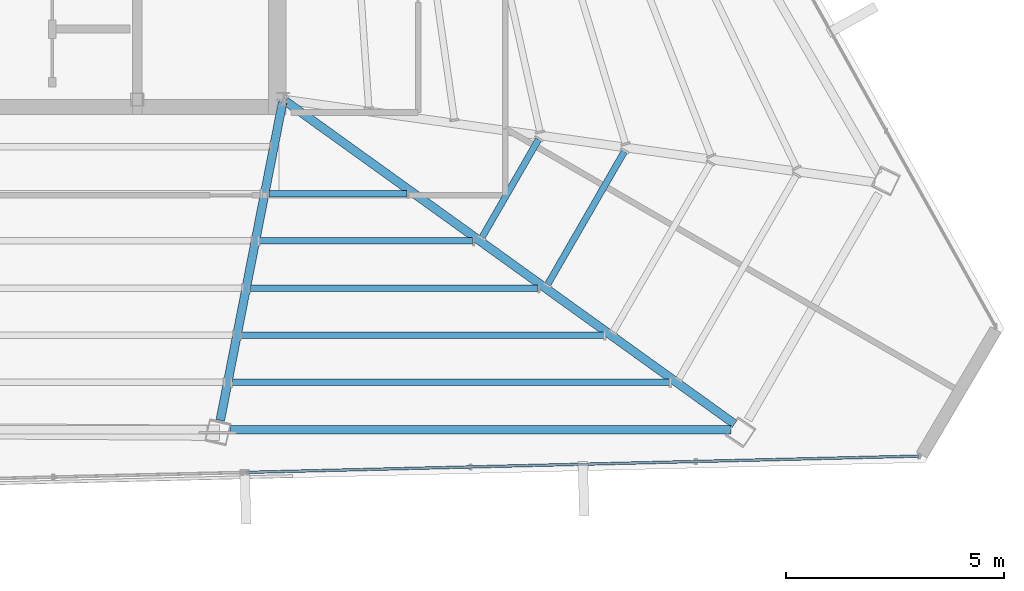
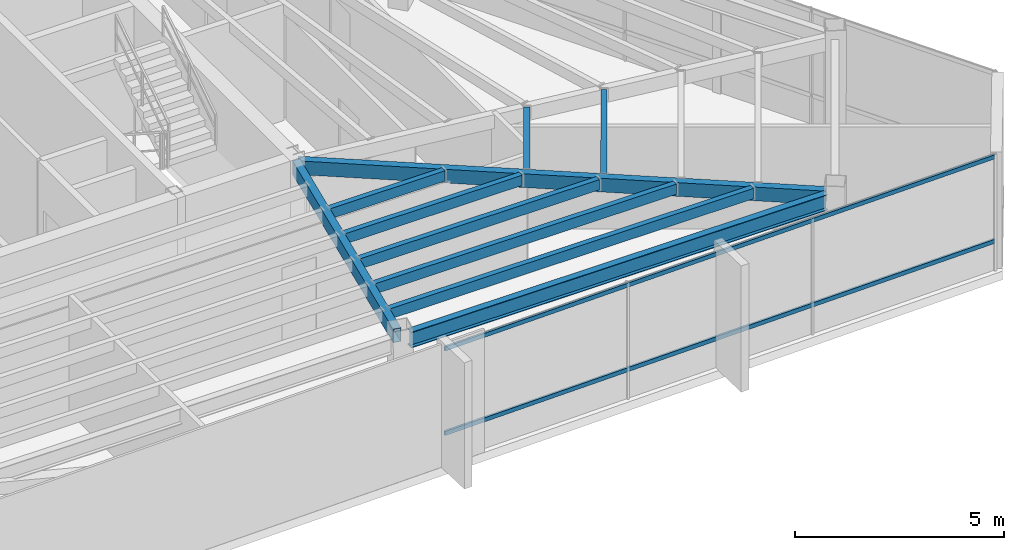
# One storey, part 22 of 48: 10 beams, 2 members, 1 element without a shape of its own.
"""IFC4 building model written with IfcOpenShell, lengths in metres."""

from ifc_helpers import new_model, si_unit, direction, frame, origin, origin_2d, place, context, subcontext, project, spatial, hollow_rectangle, i_section, extrude, source, transform, mapped, material, material_profile, profile_set, type_object, type_shapes, element, aggregate, save


model = new_model("IFC4")

# Units and contexts
model_context = context("Model", 3, precision=1e-05, world=origin(), true_north=direction((0.0, 1.0)))
body_context = subcontext(model_context, "Body", "Model", "MODEL_VIEW")
ifc_project = project(units=[si_unit("LENGTHUNIT", "METRE"), si_unit("AREAUNIT", "SQUARE_METRE"), si_unit("VOLUMEUNIT", "CUBIC_METRE"), si_unit("PLANEANGLEUNIT", "RADIAN"), si_unit("MASSUNIT", "GRAM", prefix="KILO")], contexts=[model_context])

# Site, building, storey
site_placement = place(None, origin())
site = spatial("IfcSite", under=ifc_project, at=site_placement, CompositionType="ELEMENT")
building_placement = place(site_placement, origin())
building = spatial("IfcBuilding", under=site, at=building_placement, Name="Caelisora Broadcast Tower", CompositionType="ELEMENT")
storey_placement = place(building_placement, frame((0.0, 0.0, 277.300048828125)))
storey = spatial("IfcBuildingStorey", under=building, at=storey_placement, Name="L73", CompositionType="ELEMENT", Elevation=277.300048828125)

# Beams
ifc_material_1 = material(Name="Steel Grade 350 (AS/NZS 3679.1)", Category="steel")
ifc_material_profile_1 = material_profile(ifc_material_1, i_section(OverallWidth=0.19091796875, OverallDepth=0.46044921875, WebThickness=0.010009765625, FlangeThickness=0.01611328125, at=origin_2d()), Name="Steel Grade 350 (AS/NZS 3679.1)")
ifc_profile_set_1 = profile_set([ifc_material_profile_1], Name="Steel Grade 350 (AS/NZS 3679.1)")
beam_type_1 = type_object("IfcBeamType", Name="PG06", PredefinedType="BEAM", material=ifc_profile_set_1)
shared_shape_1 = source(origin(), body_context, "Body", "SweptSolid", [
    extrude(i_section(OverallWidth=0.19091796875, OverallDepth=0.46044921875, WebThickness=0.010009765625, FlangeThickness=0.01611328125, at=origin_2d()), origin(), (0.0, 0.0, 1.0), 11.509521484375),
])
type_shapes(beam_type_1, [shared_shape_1])
beam_1_placement = place(storey_placement, frame((44.27490234375, 9.818115234375, 3.169677734375), z_axis=(1.0, 0.0, 0.0), x_axis=(0.0, 1.0, 0.0)))
element("IfcBeam", 1, at=beam_1_placement, inside=storey, type_object=beam_type_1, Name="L73 beam PG06", PredefinedType="BEAM", context=body_context, shape_type="MappedRepresentation", body=[
    mapped(shared_shape_1, transform((0.0, 0.0, 0.0), scale=1.0)),
])
ifc_material_2 = material(Name="Steel Grade 350 (AS/NZS 1163 C350L0)", Category="steel")
ifc_material_profile_2 = material_profile(ifc_material_2, hollow_rectangle(XDim=0.199951171875, YDim=0.39990234375, WallThickness=0.012451171875, at=origin_2d()), Name="Steel Grade 350 (AS/NZS 1163 C350L0)")
ifc_profile_set_2 = profile_set([ifc_material_profile_2], Name="Steel Grade 350 (AS/NZS 1163 C350L0)")
beam_type_2 = type_object("IfcBeamType", Name="PG07", PredefinedType="BEAM", material=ifc_profile_set_2)
shared_shape_2 = source(origin(), body_context, "Body", "SweptSolid", [
    extrude(hollow_rectangle(XDim=0.199951171875, YDim=0.39990234375, WallThickness=0.012451171875, at=origin_2d()), origin(), (0.0, 0.0, 1.0), 12.70751953125),
])
beam_2_placement = place(storey_placement, frame((45.548583984375, 17.364990234375, 3.199951171875), z_axis=(0.811909511256, -0.583783303574, 0.0), x_axis=(0.583783303574, 0.811909511256, 0.0)))
element("IfcBeam", 2, at=beam_2_placement, inside=storey, type_object=beam_type_2, Name="L73 beam PG07", PredefinedType="BEAM", context=body_context, shape_type="MappedRepresentation", body=[
    mapped(shared_shape_2, transform((0.0, 0.0, 0.0), scale=1.0)),
])
shared_shape_3 = source(origin(), body_context, "Body", "SweptSolid", [
    extrude(hollow_rectangle(XDim=0.199951171875, YDim=0.39990234375, WallThickness=0.012451171875, at=origin_2d()), origin(), (0.0, 0.0, 1.0), 7.44580078125),
])
type_shapes(beam_type_2, [shared_shape_2, shared_shape_3])
beam_3_placement = place(storey_placement, frame((45.488525390625, 17.341064453125, 3.199951171875), z_axis=(-0.192242961025, -0.981347361507, 0.0), x_axis=(0.981347361507, -0.192242961025, 0.0)))
element("IfcBeam", 3, at=beam_3_placement, inside=storey, type_object=beam_type_2, Name="L73 beam PG07", PredefinedType="BEAM", context=body_context, shape_type="MappedRepresentation", body=[
    mapped(shared_shape_3, transform((0.0, 0.0, 0.0), scale=1.0)),
])
ifc_material_profile_3 = material_profile(ifc_material_2, hollow_rectangle(XDim=0.14990234375, YDim=0.300048828125, WallThickness=0.010009765625, at=origin_2d()), Name="Steel Grade 350 (AS/NZS 1163 C350L0)")
ifc_profile_set_3 = profile_set([ifc_material_profile_3], Name="Steel Grade 350 (AS/NZS 1163 C350L0)")
beam_type_3 = type_object("IfcBeamType", Name="SB05", PredefinedType="JOIST", material=ifc_profile_set_3)
shared_shape_4 = source(origin(), body_context, "Body", "SweptSolid", [
    extrude(hollow_rectangle(XDim=0.14990234375, YDim=0.300048828125, WallThickness=0.010009765625, at=origin_2d()), origin(), (0.0, 0.0, 1.0), 2.591552734375),
])
beam_4_placement = place(storey_placement, frame((50.06787109375, 14.235107421875, 3.25), z_axis=(0.499958946799, 0.866049104564, 0.0), x_axis=(-0.866049104564, 0.499958946799, 0.0)))
element("IfcBeam", 4, at=beam_4_placement, inside=storey, type_object=beam_type_3, Name="L73 beam SB05", PredefinedType="JOIST", context=body_context, shape_type="MappedRepresentation", body=[
    mapped(shared_shape_4, transform((0.0, 0.0, 0.0), scale=1.0)),
])
shared_shape_5 = source(origin(), body_context, "Body", "SweptSolid", [
    extrude(hollow_rectangle(XDim=0.14990234375, YDim=0.300048828125, WallThickness=0.010009765625, at=origin_2d()), origin(), (0.0, 0.0, 1.0), 3.522705078125),
])
beam_5_placement = place(storey_placement, frame((51.57421875, 13.152099609375, 3.25), z_axis=(0.500022403966, 0.866012468462, 0.0), x_axis=(-0.866012468462, 0.500022403966, 0.0)))
element("IfcBeam", 5, at=beam_5_placement, inside=storey, type_object=beam_type_3, Name="L73 beam SB05", PredefinedType="JOIST", context=body_context, shape_type="MappedRepresentation", body=[
    mapped(shared_shape_5, transform((0.0, 0.0, 0.0), scale=1.0)),
])
shared_shape_6 = source(origin(), body_context, "Body", "SweptSolid", [
    extrude(hollow_rectangle(XDim=0.14990234375, YDim=0.300048828125, WallThickness=0.010009765625, at=origin_2d()), origin(), (0.0, 0.0, 1.0), 3.169921875),
])
beam_6_placement = place(storey_placement, frame((45.174560546875, 15.23388671875, 3.25), z_axis=(1.0, 0.0, 0.0), x_axis=(0.0, 1.0, 0.0)))
element("IfcBeam", 6, at=beam_6_placement, inside=storey, type_object=beam_type_3, Name="L73 beam SB05", PredefinedType="JOIST", context=body_context, shape_type="MappedRepresentation", body=[
    mapped(shared_shape_6, transform((0.0, 0.0, 0.0), scale=1.0)),
])
shared_shape_7 = source(origin(), body_context, "Body", "SweptSolid", [
    extrude(hollow_rectangle(XDim=0.14990234375, YDim=0.300048828125, WallThickness=0.010009765625, at=origin_2d()), origin(), (0.0, 0.0, 1.0), 4.888427734375),
])
beam_7_placement = place(storey_placement, frame((44.96240234375, 14.150634765625, 3.25), z_axis=(1.0, 0.0, 0.0), x_axis=(0.0, 1.0, 0.0)))
element("IfcBeam", 7, at=beam_7_placement, inside=storey, type_object=beam_type_3, Name="L73 beam SB05", PredefinedType="JOIST", context=body_context, shape_type="MappedRepresentation", body=[
    mapped(shared_shape_7, transform((0.0, 0.0, 0.0), scale=1.0)),
])
shared_shape_8 = source(origin(), body_context, "Body", "SweptSolid", [
    extrude(hollow_rectangle(XDim=0.14990234375, YDim=0.300048828125, WallThickness=0.010009765625, at=origin_2d()), origin(), (0.0, 0.0, 1.0), 6.60693359375),
])
beam_8_placement = place(storey_placement, frame((44.750244140625, 13.0673828125, 3.25), z_axis=(1.0, 0.0, 0.0), x_axis=(0.0, 1.0, 0.0)))
element("IfcBeam", 8, at=beam_8_placement, inside=storey, type_object=beam_type_3, Name="L73 beam SB05", PredefinedType="JOIST", context=body_context, shape_type="MappedRepresentation", body=[
    mapped(shared_shape_8, transform((0.0, 0.0, 0.0), scale=1.0)),
])
shared_shape_9 = source(origin(), body_context, "Body", "SweptSolid", [
    extrude(hollow_rectangle(XDim=0.14990234375, YDim=0.300048828125, WallThickness=0.010009765625, at=origin_2d()), origin(), (0.0, 0.0, 1.0), 8.325439453125),
])
beam_9_placement = place(storey_placement, frame((44.5380859375, 11.984375, 3.25), z_axis=(1.0, 0.0, 0.0), x_axis=(0.0, 1.0, 0.0)))
element("IfcBeam", 9, at=beam_9_placement, inside=storey, type_object=beam_type_3, Name="L73 beam SB05", PredefinedType="JOIST", context=body_context, shape_type="MappedRepresentation", body=[
    mapped(shared_shape_9, transform((0.0, 0.0, 0.0), scale=1.0)),
])
shared_shape_10 = source(origin(), body_context, "Body", "SweptSolid", [
    extrude(hollow_rectangle(XDim=0.14990234375, YDim=0.300048828125, WallThickness=0.010009765625, at=origin_2d()), origin(), (0.0, 0.0, 1.0), 10.0439453125),
])
type_shapes(beam_type_3, [shared_shape_4, shared_shape_5, shared_shape_6, shared_shape_7, shared_shape_8, shared_shape_9, shared_shape_10])
beam_10_placement = place(storey_placement, frame((44.325927734375, 10.9013671875, 3.25), z_axis=(1.0, 0.0, 0.0), x_axis=(0.0, 1.0, 0.0)))
element("IfcBeam", 10, at=beam_10_placement, inside=storey, type_object=beam_type_3, Name="L73 beam SB05", PredefinedType="JOIST", context=body_context, shape_type="MappedRepresentation", body=[
    mapped(shared_shape_10, transform((0.0, 0.0, 0.0), scale=1.0)),
])

# Curtain wall, members
ifc_material_3 = material(Name="Unitised Aluminium and Low-E Glass Curtain Wall", Category="glass")
curtain_wall_type = type_object("IfcCurtainWallType", Name="CW-Z5", PredefinedType="NOTDEFINED", material=ifc_material_3)
curtain_wall_placement = place(storey_placement, origin())
curtain_wall = element("IfcCurtainWall", 11, at=curtain_wall_placement, inside=storey, type_object=curtain_wall_type, Name="L73 curtain wall CW-Z5", PredefinedType="NOTDEFINED")
ifc_material_4 = material(Name="Aluminium 6063-T6 Anodised Terracotta Bronze", Category="aluminium")
ifc_material_profile_4 = material_profile(ifc_material_4, hollow_rectangle(XDim=0.06005859375, YDim=0.1201171875, WallThickness=0.0029296875, at=origin_2d()), Name="Aluminium 6063-T6 Anodised Terracotta Bronze")
ifc_profile_set_4 = profile_set([ifc_material_profile_4], Name="Aluminium 6063-T6 Anodised Terracotta Bronze")
member_type = type_object("IfcMemberType", Name="CWT-03", PredefinedType="USERDEFINED", material=ifc_profile_set_4)
shared_shape_11 = source(origin(), body_context, "Body", "SweptSolid", [
    extrude(hollow_rectangle(XDim=0.06005859375, YDim=0.1201171875, WallThickness=0.0029296875, at=origin_2d()), origin(), (0.0, 0.0, 1.0), 15.426025390625),
])
type_shapes(member_type, [shared_shape_11])
member_1_placement = place(storey_placement, frame((60.096923828125, 9.210693359375, 0.849853515625), z_axis=(-0.999706779004, -0.024214789157, 0.0), x_axis=(0.024214789157, -0.999706779004, 0.0)))
member_1 = element("IfcMember", 12, at=member_1_placement, type_object=member_type, Name="L73-CW-B05 transom #1", ObjectType="TRANSOM", PredefinedType="USERDEFINED", context=body_context, shape_type="MappedRepresentation", body=[
    mapped(shared_shape_11, transform((0.0, 0.0, 0.0), scale=1.0)),
])
member_2_placement = place(storey_placement, frame((60.096923828125, 9.210693359375, 3.320068359375), z_axis=(-0.999706779004, -0.024214789157, 0.0), x_axis=(0.024214789157, -0.999706779004, 0.0)))
member_2 = element("IfcMember", 13, at=member_2_placement, type_object=member_type, Name="L73-CW-B05 transom #2", ObjectType="TRANSOM", PredefinedType="USERDEFINED", context=body_context, shape_type="MappedRepresentation", body=[
    mapped(shared_shape_11, transform((0.0, 0.0, 0.0), scale=1.0)),
])
aggregate(curtain_wall, [member_1, member_2])

save(model, "model.ifc")
